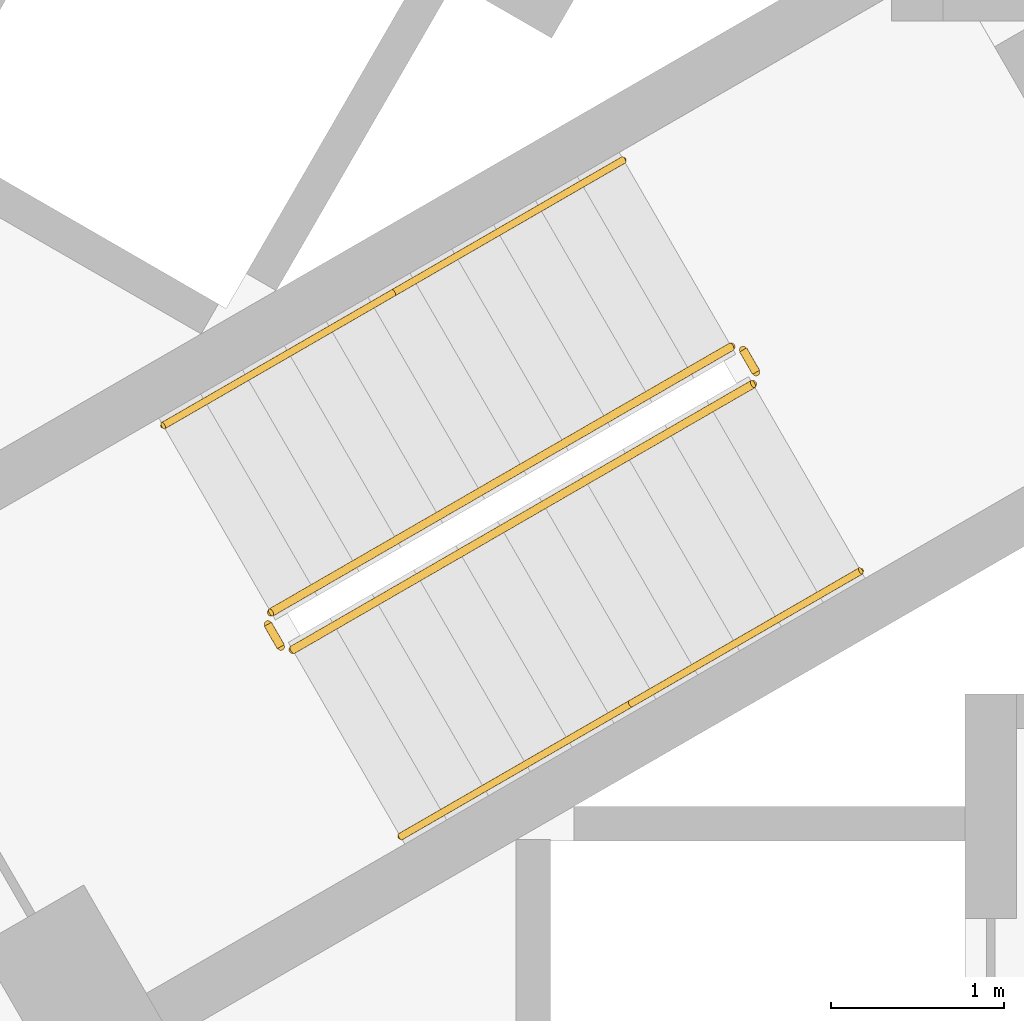
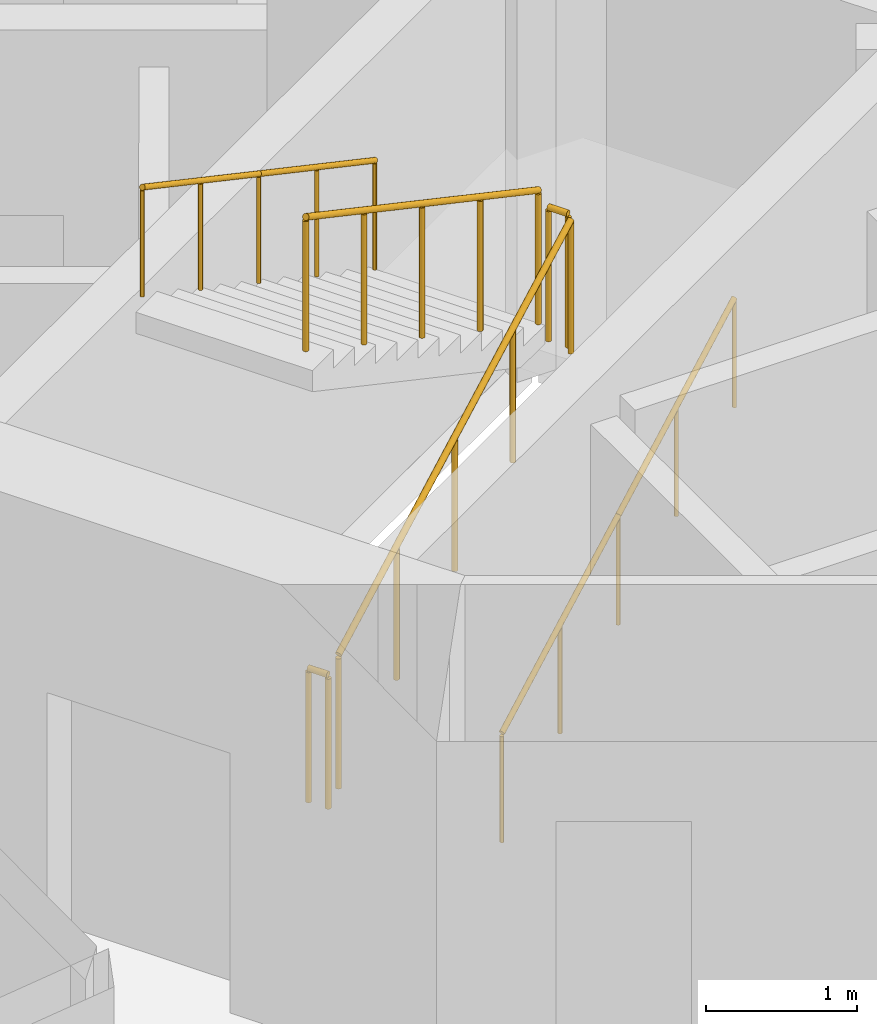
# One storey, part 10 of 14: 8 railings.
"""IFC4 building model written with IfcOpenShell, lengths in metres."""

from ifc_helpers import new_model, si_unit, direction, frame, origin, origin_2d, place, context, subcontext, project, spatial, circle, extrude, material, type_object, element, save


model = new_model("IFC4")

# Units and contexts
model_context = context("Model", 3, precision=1e-05, world=origin(), true_north=direction((0.0, 1.0)))
body_context = subcontext(model_context, "Body", "Model", "MODEL_VIEW")
ifc_project = project(units=[si_unit("LENGTHUNIT", "METRE"), si_unit("AREAUNIT", "SQUARE_METRE"), si_unit("VOLUMEUNIT", "CUBIC_METRE"), si_unit("PLANEANGLEUNIT", "RADIAN"), si_unit("MASSUNIT", "GRAM", prefix="KILO")], contexts=[model_context])

# Site, building, storey
site_placement = place(None, origin())
site = spatial("IfcSite", under=ifc_project, at=site_placement, CompositionType="ELEMENT")
building_placement = place(site_placement, origin())
building = spatial("IfcBuilding", under=site, at=building_placement, Name="Trine Commons Tower", CompositionType="ELEMENT")
storey_placement = place(building_placement, frame((0.0, 0.0, 238.5)))
storey = spatial("IfcBuildingStorey", under=building, at=storey_placement, Name="L62", CompositionType="ELEMENT", Elevation=238.5)

# Railings
ifc_material_1 = material(Name="Stainless steel balustrade", Category="steel")
railing_type_1 = type_object("IfcRailingType", Name="Stair guard, steel balustrade 1100", PredefinedType="GUARDRAIL", material=ifc_material_1)
railing_1_placement = place(storey_placement, frame((74.80517578125, 59.3564453125, 0.14990234375)))
element("IfcRailing", 1, at=railing_1_placement, inside=storey, type_object=railing_type_1, Name="L62 ST2C stair guard 1", PredefinedType="GUARDRAIL", context=body_context, shape_type="SweptSolid", body=[
    extrude(circle(Radius=0.02392578125, at=origin_2d()), frame((0.0, 0.0, 1.076171875), z_axis=(0.763379768245, 0.440728498818, 0.472239049384), x_axis=(-0.499992328818, 0.866029832698, 0.0)), (0.0, 0.0, 1.0), 3.494384765625),
    extrude(circle(Radius=0.02099609375, at=origin_2d()), origin(), (0.0, 0.0, 1.0), 1.052001953125),
    extrude(circle(Radius=0.02099609375, at=origin_2d()), frame((0.6669921875, 0.385009765625, 0.41259765625)), (0.0, 0.0, 1.0), 1.052001953125),
    extrude(circle(Radius=0.02099609375, at=origin_2d()), frame((1.333740234375, 0.77001953125, 0.8251953125)), (0.0, 0.0, 1.0), 1.052001953125),
    extrude(circle(Radius=0.02099609375, at=origin_2d()), frame((2.00048828125, 1.155029296875, 1.237548828125)), (0.0, 0.0, 1.0), 1.052001953125),
    extrude(circle(Radius=0.02099609375, at=origin_2d()), frame((2.66748046875, 1.5400390625, 1.650146484375)), (0.0, 0.0, 1.0), 1.052001953125),
])
railing_2_placement = place(storey_placement, frame((77.490966796875, 60.96484375, 1.800048828125)))
element("IfcRailing", 2, at=railing_2_placement, inside=storey, type_object=railing_type_1, Name="L62 ST2C stair guard 2", PredefinedType="GUARDRAIL", context=body_context, shape_type="SweptSolid", body=[
    extrude(circle(Radius=0.02392578125, at=origin_2d()), frame((0.0, 0.0, 1.076171875), z_axis=(-0.501036270542, 0.865426285481, 0.0), x_axis=(-0.865426285481, -0.501036270542, 0.0)), (0.0, 0.0, 1.0), 0.150146484375),
    extrude(circle(Radius=0.02099609375, at=origin_2d()), origin(), (0.0, 0.0, 1.0), 1.052001953125),
    extrude(circle(Radius=0.02099609375, at=origin_2d()), frame((-0.0751953125, 0.1298828125, 0.0)), (0.0, 0.0, 1.0), 1.052001953125),
])
railing_3_placement = place(storey_placement, frame((77.34765625, 61.113037109375, 1.949951171875)))
element("IfcRailing", 3, at=railing_3_placement, inside=storey, type_object=railing_type_1, Name="L62 ST2C stair guard 3", PredefinedType="GUARDRAIL", context=body_context, shape_type="SweptSolid", body=[
    extrude(circle(Radius=0.02392578125, at=origin_2d()), frame((0.0, 0.0, 1.076171875), z_axis=(-0.763379768245, -0.440728498818, 0.472239049384), x_axis=(0.499992328818, -0.866029832698, 0.0)), (0.0, 0.0, 1.0), 3.494384765625),
    extrude(circle(Radius=0.02099609375, at=origin_2d()), origin(), (0.0, 0.0, 1.0), 1.052001953125),
    extrude(circle(Radius=0.02099609375, at=origin_2d()), frame((-0.6669921875, -0.385009765625, 0.41259765625)), (0.0, 0.0, 1.0), 1.052001953125),
    extrude(circle(Radius=0.02099609375, at=origin_2d()), frame((-1.333740234375, -0.77001953125, 0.8251953125)), (0.0, 0.0, 1.0), 1.052001953125),
    extrude(circle(Radius=0.02099609375, at=origin_2d()), frame((-2.00048828125, -1.155029296875, 1.237548828125)), (0.0, 0.0, 1.0), 1.052001953125),
    extrude(circle(Radius=0.02099609375, at=origin_2d()), frame((-2.66748046875, -1.5400390625, 1.650146484375)), (0.0, 0.0, 1.0), 1.052001953125),
])
railing_4_placement = place(storey_placement, frame((74.73681640625, 59.374755859375, 0.0)))
element("IfcRailing", 4, at=railing_4_placement, inside=storey, type_object=railing_type_1, Name="L62 ST2C stair guard 4", PredefinedType="GUARDRAIL", context=body_context, shape_type="SweptSolid", body=[
    extrude(circle(Radius=0.02392578125, at=origin_2d()), frame((0.0, 0.0, 1.076171875), z_axis=(-0.499816412211, 0.866131372301, 0.0), x_axis=(-0.866131372301, -0.499816412211, 0.0)), (0.0, 0.0, 1.0), 0.14990234375),
    extrude(circle(Radius=0.02099609375, at=origin_2d()), origin(), (0.0, 0.0, 1.0), 1.052001953125),
    extrude(circle(Radius=0.02099609375, at=origin_2d()), frame((-0.074951171875, 0.1298828125, 0.0)), (0.0, 0.0, 1.0), 1.052001953125),
])
ifc_material_2 = material(Name="Stainless steel handrail", Category="steel")
railing_type_2 = type_object("IfcRailingType", Name="Stair handrail, steel 900", PredefinedType="HANDRAIL", material=ifc_material_2)
railing_5_placement = place(storey_placement, frame((75.43017578125, 58.27392578125, 0.14990234375)))
element("IfcRailing", 5, at=railing_5_placement, inside=storey, type_object=railing_type_2, Name="L62 ST2C stair handrail 1", PredefinedType="HANDRAIL", context=body_context, shape_type="SweptSolid", body=[
    extrude(circle(Radius=0.02099609375, at=origin_2d()), frame((0.0, 0.0, 0.87890625), z_axis=(0.763354580307, 0.440713956853, 0.472293333596), x_axis=(-0.499992328818, 0.866029832698, 0.0)), (0.0, 0.0, 1.0), 1.747314453125),
    extrude(circle(Radius=0.01513671875, at=origin_2d()), origin(), (0.0, 0.0, 1.0), 0.85791015625),
    extrude(circle(Radius=0.01513671875, at=origin_2d()), frame((0.6669921875, 0.385009765625, 0.41259765625)), (0.0, 0.0, 1.0), 0.85791015625),
    extrude(circle(Radius=0.01513671875, at=origin_2d()), frame((1.333740234375, 0.77001953125, 0.8251953125)), (0.0, 0.0, 1.0), 0.85791015625),
])
railing_6_placement = place(storey_placement, frame((76.763916015625, 59.0439453125, 0.97509765625)))
element("IfcRailing", 6, at=railing_6_placement, inside=storey, type_object=railing_type_2, Name="L62 ST2C stair handrail 2", PredefinedType="HANDRAIL", context=body_context, shape_type="SweptSolid", body=[
    extrude(circle(Radius=0.02099609375, at=origin_2d()), frame((0.0, 0.0, 0.87890625), z_axis=(0.76340495495, 0.440743040072, 0.472184759798), x_axis=(-0.499992328818, 0.866029832698, 0.0)), (0.0, 0.0, 1.0), 1.7470703125),
    extrude(circle(Radius=0.01513671875, at=origin_2d()), origin(), (0.0, 0.0, 1.0), 0.85791015625),
    extrude(circle(Radius=0.01513671875, at=origin_2d()), frame((0.6669921875, 0.385009765625, 0.41259765625)), (0.0, 0.0, 1.0), 0.85791015625),
    extrude(circle(Radius=0.01513671875, at=origin_2d()), frame((1.333740234375, 0.77001953125, 0.824951171875)), (0.0, 0.0, 1.0), 0.85791015625),
])
railing_7_placement = place(storey_placement, frame((76.72265625, 62.195556640625, 1.949951171875)))
element("IfcRailing", 7, at=railing_7_placement, inside=storey, type_object=railing_type_2, Name="L62 ST2C stair handrail 3", PredefinedType="HANDRAIL", context=body_context, shape_type="SweptSolid", body=[
    extrude(circle(Radius=0.02099609375, at=origin_2d()), frame((0.0, 0.0, 0.87890625), z_axis=(-0.76340495495, -0.440743040072, 0.472184759798), x_axis=(0.499992328818, -0.866029832698, 0.0)), (0.0, 0.0, 1.0), 1.7470703125),
    extrude(circle(Radius=0.01513671875, at=origin_2d()), origin(), (0.0, 0.0, 1.0), 0.85791015625),
    extrude(circle(Radius=0.01513671875, at=origin_2d()), frame((-0.6669921875, -0.385009765625, 0.41259765625)), (0.0, 0.0, 1.0), 0.85791015625),
    extrude(circle(Radius=0.01513671875, at=origin_2d()), frame((-1.333740234375, -0.77001953125, 0.824951171875)), (0.0, 0.0, 1.0), 0.85791015625),
])
railing_8_placement = place(storey_placement, frame((75.388916015625, 61.425537109375, 2.77490234375)))
element("IfcRailing", 8, at=railing_8_placement, inside=storey, type_object=railing_type_2, Name="L62 ST2C stair handrail 4", PredefinedType="HANDRAIL", context=body_context, shape_type="SweptSolid", body=[
    extrude(circle(Radius=0.02099609375, at=origin_2d()), frame((0.0, 0.0, 0.87890625), z_axis=(-0.763354580307, -0.440713956853, 0.472293333596), x_axis=(0.499992328818, -0.866029832698, 0.0)), (0.0, 0.0, 1.0), 1.747314453125),
    extrude(circle(Radius=0.01513671875, at=origin_2d()), origin(), (0.0, 0.0, 1.0), 0.85791015625),
    extrude(circle(Radius=0.01513671875, at=origin_2d()), frame((-0.6669921875, -0.385009765625, 0.41259765625)), (0.0, 0.0, 1.0), 0.85791015625),
    extrude(circle(Radius=0.01513671875, at=origin_2d()), frame((-1.333740234375, -0.77001953125, 0.8251953125)), (0.0, 0.0, 1.0), 0.85791015625),
])

save(model, "model.ifc")
